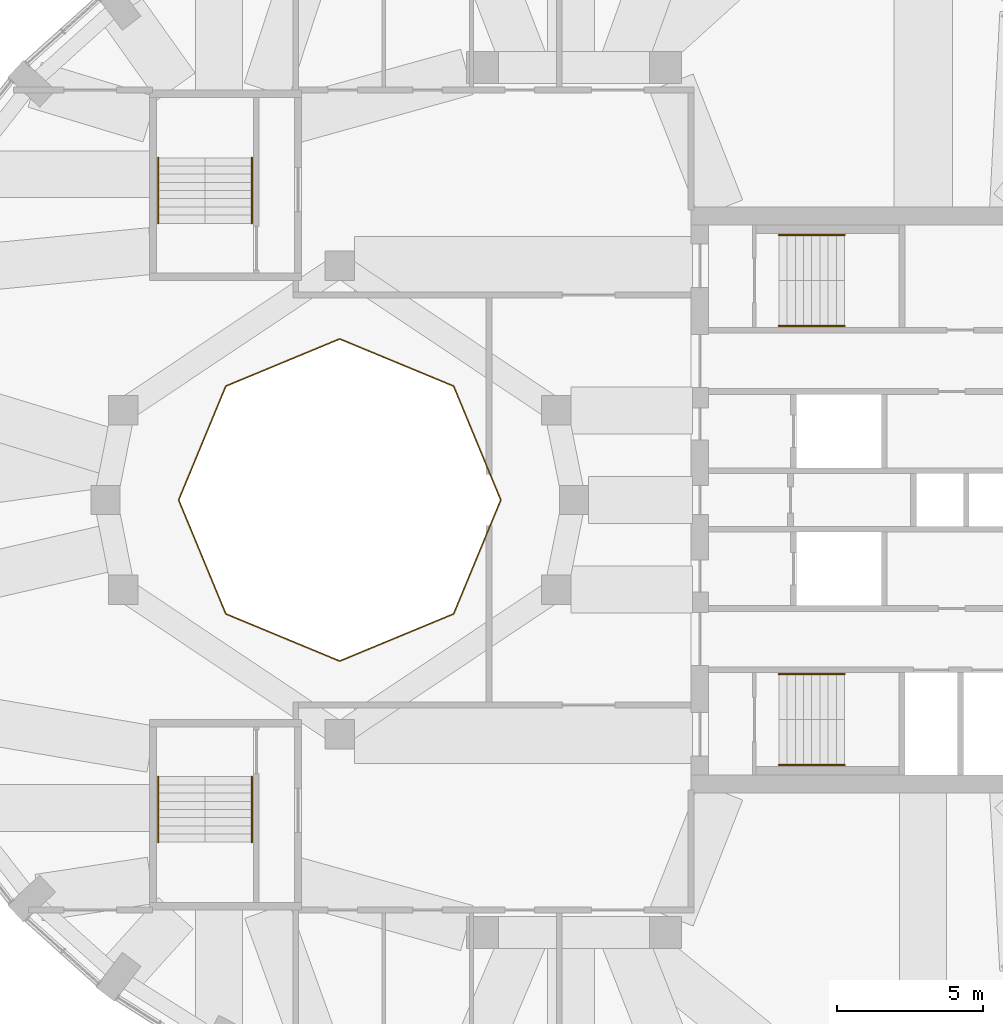
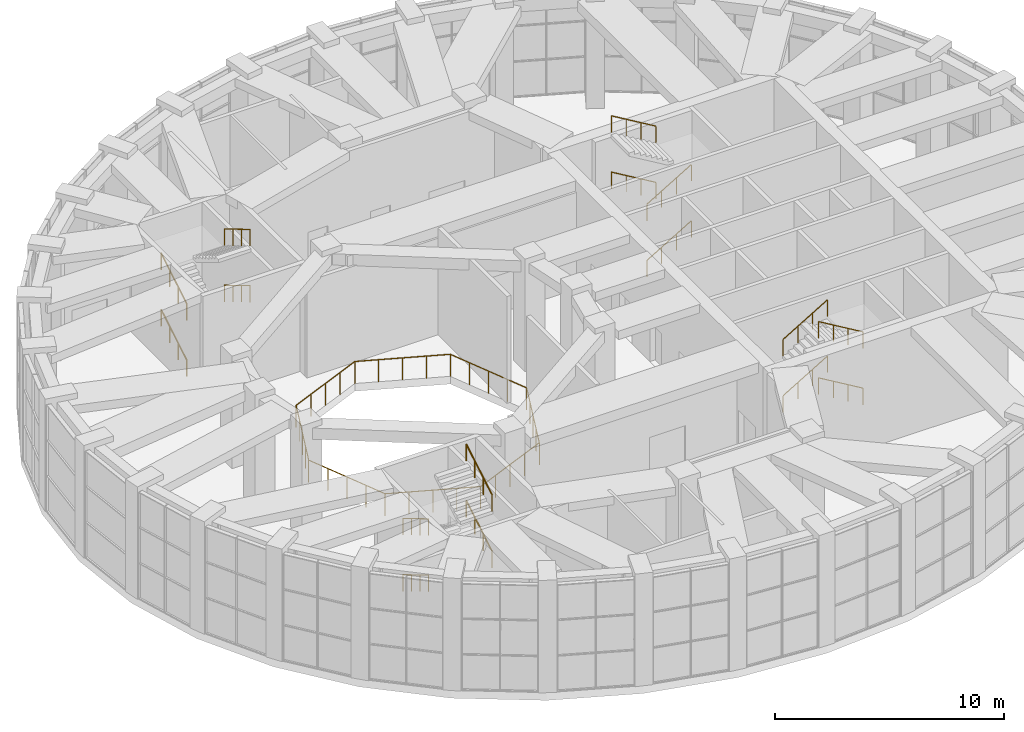
# One storey, part 20 of 20: 18 railings.
"""IFC4 building model written with IfcOpenShell, lengths in metres."""

from ifc_helpers import new_model, si_unit, direction, frame, origin, origin_2d, place, context, subcontext, project, spatial, circle, extrude, material, type_object, element, save


model = new_model("IFC4")

# Units and contexts
model_context = context("Model", 3, precision=1e-05, world=origin(), true_north=direction((0.0, 1.0)))
body_context = subcontext(model_context, "Body", "Model", "MODEL_VIEW")
ifc_project = project(units=[si_unit("LENGTHUNIT", "METRE"), si_unit("AREAUNIT", "SQUARE_METRE"), si_unit("VOLUMEUNIT", "CUBIC_METRE"), si_unit("PLANEANGLEUNIT", "RADIAN"), si_unit("MASSUNIT", "GRAM", prefix="KILO")], contexts=[model_context])

# Site, building, storey
site_placement = place(None, origin())
site = spatial("IfcSite", under=ifc_project, at=site_placement, CompositionType="ELEMENT")
building_placement = place(site_placement, origin())
building = spatial("IfcBuilding", under=site, at=building_placement, Name="Taillehof Tower", CompositionType="ELEMENT")
storey_placement = place(building_placement, frame((0.0, 0.0, 269.199951171875)))
storey = spatial("IfcBuildingStorey", under=building, at=storey_placement, Name="L76", CompositionType="ELEMENT", Elevation=269.199951171875)

# Railings
ifc_material_1 = material(Name="Stainless steel and laminated glass", Category="steel")
railing_type_1 = type_object("IfcRailingType", Name="Guard 1200 mm", PredefinedType="GUARDRAIL", material=ifc_material_1)
railing_1_placement = place(storey_placement, frame((-2.5, 0.0, 0.0)))
element("IfcRailing", 1, at=railing_1_placement, inside=storey, type_object=railing_type_1, Name="Guard atrium", PredefinedType="GUARDRAIL", context=body_context, shape_type="SweptSolid", body=[
    extrude(circle(Radius=0.02392578125, at=origin_2d()), frame((0.0, 0.0, 1.17578125), z_axis=(-0.38266253946, 0.923888186359, 0.0), x_axis=(-0.923888186359, -0.38266253946, 0.0)), (0.0, 0.0, 1.0), 4.20947265625),
    extrude(circle(Radius=0.02392578125, at=origin_2d()), frame((-1.61083984375, 3.88916015625, 1.17578125), z_axis=(-0.923888186359, 0.38266253946, 0.0), x_axis=(-0.38266253946, -0.923888186359, 0.0)), (0.0, 0.0, 1.0), 4.20947265625),
    extrude(circle(Radius=0.02392578125, at=origin_2d()), frame((-5.5, 5.5, 1.17578125), z_axis=(-0.923888186359, -0.38266253946, 0.0), x_axis=(0.38266253946, -0.923888186359, 0.0)), (0.0, 0.0, 1.0), 4.20947265625),
    extrude(circle(Radius=0.02392578125, at=origin_2d()), frame((-9.38916015625, 3.88916015625, 1.17578125), z_axis=(-0.38266253946, -0.923888186359, 0.0), x_axis=(0.923888186359, -0.38266253946, 0.0)), (0.0, 0.0, 1.0), 4.20947265625),
    extrude(circle(Radius=0.02099609375, at=origin_2d()), origin(), (0.0, 0.0, 1.0), 1.15185546875),
    extrude(circle(Radius=0.02099609375, at=origin_2d()), frame((-0.40283203125, 0.97216796875, 0.0)), (0.0, 0.0, 1.0), 1.15185546875),
    extrude(circle(Radius=0.02099609375, at=origin_2d()), frame((-0.805419921875, 1.944580078125, 0.0)), (0.0, 0.0, 1.0), 1.15185546875),
    extrude(circle(Radius=0.02099609375, at=origin_2d()), frame((-1.2080078125, 2.9169921875, 0.0)), (0.0, 0.0, 1.0), 1.15185546875),
    extrude(circle(Radius=0.02099609375, at=origin_2d()), frame((-1.61083984375, 3.88916015625, 0.0)), (0.0, 0.0, 1.0), 1.15185546875),
    extrude(circle(Radius=0.02099609375, at=origin_2d()), frame((-2.5830078125, 4.2919921875, 0.0)), (0.0, 0.0, 1.0), 1.15185546875),
    extrude(circle(Radius=0.02099609375, at=origin_2d()), frame((-3.555419921875, 4.694580078125, 0.0)), (0.0, 0.0, 1.0), 1.15185546875),
    extrude(circle(Radius=0.02099609375, at=origin_2d()), frame((-4.52783203125, 5.09716796875, 0.0)), (0.0, 0.0, 1.0), 1.15185546875),
    extrude(circle(Radius=0.02099609375, at=origin_2d()), frame((-5.5, 5.5, 0.0)), (0.0, 0.0, 1.0), 1.15185546875),
    extrude(circle(Radius=0.02099609375, at=origin_2d()), frame((-6.47216796875, 5.09716796875, 0.0)), (0.0, 0.0, 1.0), 1.15185546875),
    extrude(circle(Radius=0.02099609375, at=origin_2d()), frame((-7.444580078125, 4.694580078125, 0.0)), (0.0, 0.0, 1.0), 1.15185546875),
    extrude(circle(Radius=0.02099609375, at=origin_2d()), frame((-8.4169921875, 4.2919921875, 0.0)), (0.0, 0.0, 1.0), 1.15185546875),
    extrude(circle(Radius=0.02099609375, at=origin_2d()), frame((-9.38916015625, 3.88916015625, 0.0)), (0.0, 0.0, 1.0), 1.15185546875),
    extrude(circle(Radius=0.02099609375, at=origin_2d()), frame((-9.7919921875, 2.9169921875, 0.0)), (0.0, 0.0, 1.0), 1.15185546875),
    extrude(circle(Radius=0.02099609375, at=origin_2d()), frame((-10.194580078125, 1.944580078125, 0.0)), (0.0, 0.0, 1.0), 1.15185546875),
    extrude(circle(Radius=0.02099609375, at=origin_2d()), frame((-10.59716796875, 0.97216796875, 0.0)), (0.0, 0.0, 1.0), 1.15185546875),
    extrude(circle(Radius=0.02099609375, at=origin_2d()), frame((-11.0, 0.0, 0.0)), (0.0, 0.0, 1.0), 1.15185546875),
])
railing_2_placement = place(storey_placement, frame((-13.5, 0.0, 0.0)))
element("IfcRailing", 2, at=railing_2_placement, inside=storey, type_object=railing_type_1, Name="Guard atrium", PredefinedType="GUARDRAIL", context=body_context, shape_type="SweptSolid", body=[
    extrude(circle(Radius=0.02392578125, at=origin_2d()), frame((0.0, 0.0, 1.17578125), z_axis=(0.38266253946, -0.923888186359, 0.0), x_axis=(0.923888186359, 0.38266253946, 0.0)), (0.0, 0.0, 1.0), 4.20947265625),
    extrude(circle(Radius=0.02392578125, at=origin_2d()), frame((1.61083984375, -3.88916015625, 1.17578125), z_axis=(0.923888186359, -0.38266253946, 0.0), x_axis=(0.38266253946, 0.923888186359, 0.0)), (0.0, 0.0, 1.0), 4.20947265625),
    extrude(circle(Radius=0.02392578125, at=origin_2d()), frame((5.5, -5.5, 1.17578125), z_axis=(0.923888186359, 0.38266253946, 0.0), x_axis=(-0.38266253946, 0.923888186359, 0.0)), (0.0, 0.0, 1.0), 4.20947265625),
    extrude(circle(Radius=0.02392578125, at=origin_2d()), frame((9.38916015625, -3.88916015625, 1.17578125), z_axis=(0.38266253946, 0.923888186359, 0.0), x_axis=(-0.923888186359, 0.38266253946, 0.0)), (0.0, 0.0, 1.0), 4.20947265625),
    extrude(circle(Radius=0.02099609375, at=origin_2d()), origin(), (0.0, 0.0, 1.0), 1.15185546875),
    extrude(circle(Radius=0.02099609375, at=origin_2d()), frame((0.40283203125, -0.97216796875, 0.0)), (0.0, 0.0, 1.0), 1.15185546875),
    extrude(circle(Radius=0.02099609375, at=origin_2d()), frame((0.805419921875, -1.944580078125, 0.0)), (0.0, 0.0, 1.0), 1.15185546875),
    extrude(circle(Radius=0.02099609375, at=origin_2d()), frame((1.2080078125, -2.9169921875, 0.0)), (0.0, 0.0, 1.0), 1.15185546875),
    extrude(circle(Radius=0.02099609375, at=origin_2d()), frame((1.61083984375, -3.88916015625, 0.0)), (0.0, 0.0, 1.0), 1.15185546875),
    extrude(circle(Radius=0.02099609375, at=origin_2d()), frame((2.5830078125, -4.2919921875, 0.0)), (0.0, 0.0, 1.0), 1.15185546875),
    extrude(circle(Radius=0.02099609375, at=origin_2d()), frame((3.555419921875, -4.694580078125, 0.0)), (0.0, 0.0, 1.0), 1.15185546875),
    extrude(circle(Radius=0.02099609375, at=origin_2d()), frame((4.52783203125, -5.09716796875, 0.0)), (0.0, 0.0, 1.0), 1.15185546875),
    extrude(circle(Radius=0.02099609375, at=origin_2d()), frame((5.5, -5.5, 0.0)), (0.0, 0.0, 1.0), 1.15185546875),
    extrude(circle(Radius=0.02099609375, at=origin_2d()), frame((6.47216796875, -5.09716796875, 0.0)), (0.0, 0.0, 1.0), 1.15185546875),
    extrude(circle(Radius=0.02099609375, at=origin_2d()), frame((7.444580078125, -4.694580078125, 0.0)), (0.0, 0.0, 1.0), 1.15185546875),
    extrude(circle(Radius=0.02099609375, at=origin_2d()), frame((8.4169921875, -4.2919921875, 0.0)), (0.0, 0.0, 1.0), 1.15185546875),
    extrude(circle(Radius=0.02099609375, at=origin_2d()), frame((9.38916015625, -3.88916015625, 0.0)), (0.0, 0.0, 1.0), 1.15185546875),
    extrude(circle(Radius=0.02099609375, at=origin_2d()), frame((9.7919921875, -2.9169921875, 0.0)), (0.0, 0.0, 1.0), 1.15185546875),
    extrude(circle(Radius=0.02099609375, at=origin_2d()), frame((10.194580078125, -1.944580078125, 0.0)), (0.0, 0.0, 1.0), 1.15185546875),
    extrude(circle(Radius=0.02099609375, at=origin_2d()), frame((10.59716796875, -0.97216796875, 0.0)), (0.0, 0.0, 1.0), 1.15185546875),
    extrude(circle(Radius=0.02099609375, at=origin_2d()), frame((11.0, 0.0, 0.0)), (0.0, 0.0, 1.0), 1.15185546875),
])
ifc_material_2 = material(Name="Stainless steel", Category="steel")
railing_type_2 = type_object("IfcRailingType", Name="Stair handrail 900", PredefinedType="HANDRAIL", material=ifc_material_2)
railing_3_placement = place(storey_placement, frame((7.0, 5.949951171875, 0.166748046875)))
element("IfcRailing", 3, at=railing_3_placement, inside=storey, type_object=railing_type_2, Name="Stair S1 handrail", PredefinedType="HANDRAIL", context=body_context, shape_type="SweptSolid", body=[
    extrude(circle(Radius=0.02392578125, at=origin_2d()), frame((0.0, 0.0, 0.8759765625), z_axis=(0.859305625298, 0.0, 0.511462454469), x_axis=(0.0, 1.0, 0.0)), (0.0, 0.0, 1.0), 2.606689453125),
    extrude(circle(Radius=0.02099609375, at=origin_2d()), origin(), (0.0, 0.0, 1.0), 0.851806640625),
    extrude(circle(Radius=0.02099609375, at=origin_2d()), frame((0.74658203125, 0.0, 0.4443359375)), (0.0, 0.0, 1.0), 0.851806640625),
    extrude(circle(Radius=0.02099609375, at=origin_2d()), frame((1.493408203125, 0.0, 0.888916015625)), (0.0, 0.0, 1.0), 0.851806640625),
    extrude(circle(Radius=0.02099609375, at=origin_2d()), frame((2.239990234375, 0.0, 1.333251953125)), (0.0, 0.0, 1.0), 0.851806640625),
])
railing_4_placement = place(storey_placement, frame((9.239990234375, 9.050048828125, 1.666748046875)))
element("IfcRailing", 4, at=railing_4_placement, inside=storey, type_object=railing_type_2, Name="Stair S1 handrail", PredefinedType="HANDRAIL", context=body_context, shape_type="SweptSolid", body=[
    extrude(circle(Radius=0.02392578125, at=origin_2d()), frame((0.0, 0.0, 0.8759765625), z_axis=(-0.859305625298, 0.0, 0.511462454469), x_axis=(0.0, -1.0, 0.0)), (0.0, 0.0, 1.0), 2.606689453125),
    extrude(circle(Radius=0.02099609375, at=origin_2d()), origin(), (0.0, 0.0, 1.0), 0.851806640625),
    extrude(circle(Radius=0.02099609375, at=origin_2d()), frame((-0.74658203125, 0.0, 0.4443359375)), (0.0, 0.0, 1.0), 0.851806640625),
    extrude(circle(Radius=0.02099609375, at=origin_2d()), frame((-1.493408203125, 0.0, 0.888916015625)), (0.0, 0.0, 1.0), 0.851806640625),
    extrude(circle(Radius=0.02099609375, at=origin_2d()), frame((-2.239990234375, 0.0, 1.333251953125)), (0.0, 0.0, 1.0), 0.851806640625),
])
railing_5_placement = place(storey_placement, frame((7.0, 5.949951171875, 3.166748046875)))
element("IfcRailing", 5, at=railing_5_placement, inside=storey, type_object=railing_type_2, Name="Stair S1 handrail", PredefinedType="HANDRAIL", context=body_context, shape_type="SweptSolid", body=[
    extrude(circle(Radius=0.02392578125, at=origin_2d()), frame((0.0, 0.0, 0.8759765625), z_axis=(0.859305625298, 0.0, 0.511462454469), x_axis=(0.0, 1.0, 0.0)), (0.0, 0.0, 1.0), 2.606689453125),
    extrude(circle(Radius=0.02099609375, at=origin_2d()), origin(), (0.0, 0.0, 1.0), 0.851806640625),
    extrude(circle(Radius=0.02099609375, at=origin_2d()), frame((0.74658203125, 0.0, 0.4443359375)), (0.0, 0.0, 1.0), 0.851806640625),
    extrude(circle(Radius=0.02099609375, at=origin_2d()), frame((1.493408203125, 0.0, 0.888916015625)), (0.0, 0.0, 1.0), 0.851806640625),
    extrude(circle(Radius=0.02099609375, at=origin_2d()), frame((2.239990234375, 0.0, 1.333251953125)), (0.0, 0.0, 1.0), 0.851806640625),
])
railing_6_placement = place(storey_placement, frame((9.239990234375, 9.050048828125, 4.666748046875)))
element("IfcRailing", 6, at=railing_6_placement, inside=storey, type_object=railing_type_2, Name="Stair S1 handrail", PredefinedType="HANDRAIL", context=body_context, shape_type="SweptSolid", body=[
    extrude(circle(Radius=0.02392578125, at=origin_2d()), frame((0.0, 0.0, 0.8759765625), z_axis=(-0.859305625298, 0.0, 0.511462454469), x_axis=(0.0, -1.0, 0.0)), (0.0, 0.0, 1.0), 2.606689453125),
    extrude(circle(Radius=0.02099609375, at=origin_2d()), origin(), (0.0, 0.0, 1.0), 0.851806640625),
    extrude(circle(Radius=0.02099609375, at=origin_2d()), frame((-0.74658203125, 0.0, 0.4443359375)), (0.0, 0.0, 1.0), 0.851806640625),
    extrude(circle(Radius=0.02099609375, at=origin_2d()), frame((-1.493408203125, 0.0, 0.888916015625)), (0.0, 0.0, 1.0), 0.851806640625),
    extrude(circle(Radius=0.02099609375, at=origin_2d()), frame((-2.239990234375, 0.0, 1.333251953125)), (0.0, 0.0, 1.0), 0.851806640625),
])
railing_7_placement = place(storey_placement, frame((7.0, -5.949951171875, 0.166748046875)))
element("IfcRailing", 7, at=railing_7_placement, inside=storey, type_object=railing_type_2, Name="Stair S2 handrail", PredefinedType="HANDRAIL", context=body_context, shape_type="SweptSolid", body=[
    extrude(circle(Radius=0.02392578125, at=origin_2d()), frame((0.0, 0.0, 0.8759765625), z_axis=(0.859305625298, 0.0, 0.511462454469), x_axis=(0.0, 1.0, 0.0)), (0.0, 0.0, 1.0), 2.606689453125),
    extrude(circle(Radius=0.02099609375, at=origin_2d()), origin(), (0.0, 0.0, 1.0), 0.851806640625),
    extrude(circle(Radius=0.02099609375, at=origin_2d()), frame((0.74658203125, 0.0, 0.4443359375)), (0.0, 0.0, 1.0), 0.851806640625),
    extrude(circle(Radius=0.02099609375, at=origin_2d()), frame((1.493408203125, 0.0, 0.888916015625)), (0.0, 0.0, 1.0), 0.851806640625),
    extrude(circle(Radius=0.02099609375, at=origin_2d()), frame((2.239990234375, 0.0, 1.333251953125)), (0.0, 0.0, 1.0), 0.851806640625),
])
railing_8_placement = place(storey_placement, frame((9.239990234375, -9.050048828125, 1.666748046875)))
element("IfcRailing", 8, at=railing_8_placement, inside=storey, type_object=railing_type_2, Name="Stair S2 handrail", PredefinedType="HANDRAIL", context=body_context, shape_type="SweptSolid", body=[
    extrude(circle(Radius=0.02392578125, at=origin_2d()), frame((0.0, 0.0, 0.8759765625), z_axis=(-0.859305625298, 0.0, 0.511462454469), x_axis=(0.0, -1.0, 0.0)), (0.0, 0.0, 1.0), 2.606689453125),
    extrude(circle(Radius=0.02099609375, at=origin_2d()), origin(), (0.0, 0.0, 1.0), 0.851806640625),
    extrude(circle(Radius=0.02099609375, at=origin_2d()), frame((-0.74658203125, 0.0, 0.4443359375)), (0.0, 0.0, 1.0), 0.851806640625),
    extrude(circle(Radius=0.02099609375, at=origin_2d()), frame((-1.493408203125, 0.0, 0.888916015625)), (0.0, 0.0, 1.0), 0.851806640625),
    extrude(circle(Radius=0.02099609375, at=origin_2d()), frame((-2.239990234375, 0.0, 1.333251953125)), (0.0, 0.0, 1.0), 0.851806640625),
])
railing_9_placement = place(storey_placement, frame((7.0, -5.949951171875, 3.166748046875)))
element("IfcRailing", 9, at=railing_9_placement, inside=storey, type_object=railing_type_2, Name="Stair S2 handrail", PredefinedType="HANDRAIL", context=body_context, shape_type="SweptSolid", body=[
    extrude(circle(Radius=0.02392578125, at=origin_2d()), frame((0.0, 0.0, 0.8759765625), z_axis=(0.859305625298, 0.0, 0.511462454469), x_axis=(0.0, 1.0, 0.0)), (0.0, 0.0, 1.0), 2.606689453125),
    extrude(circle(Radius=0.02099609375, at=origin_2d()), origin(), (0.0, 0.0, 1.0), 0.851806640625),
    extrude(circle(Radius=0.02099609375, at=origin_2d()), frame((0.74658203125, 0.0, 0.4443359375)), (0.0, 0.0, 1.0), 0.851806640625),
    extrude(circle(Radius=0.02099609375, at=origin_2d()), frame((1.493408203125, 0.0, 0.888916015625)), (0.0, 0.0, 1.0), 0.851806640625),
    extrude(circle(Radius=0.02099609375, at=origin_2d()), frame((2.239990234375, 0.0, 1.333251953125)), (0.0, 0.0, 1.0), 0.851806640625),
])
railing_10_placement = place(storey_placement, frame((9.239990234375, -9.050048828125, 4.666748046875)))
element("IfcRailing", 10, at=railing_10_placement, inside=storey, type_object=railing_type_2, Name="Stair S2 handrail", PredefinedType="HANDRAIL", context=body_context, shape_type="SweptSolid", body=[
    extrude(circle(Radius=0.02392578125, at=origin_2d()), frame((0.0, 0.0, 0.8759765625), z_axis=(-0.859305625298, 0.0, 0.511462454469), x_axis=(0.0, -1.0, 0.0)), (0.0, 0.0, 1.0), 2.606689453125),
    extrude(circle(Radius=0.02099609375, at=origin_2d()), origin(), (0.0, 0.0, 1.0), 0.851806640625),
    extrude(circle(Radius=0.02099609375, at=origin_2d()), frame((-0.74658203125, 0.0, 0.4443359375)), (0.0, 0.0, 1.0), 0.851806640625),
    extrude(circle(Radius=0.02099609375, at=origin_2d()), frame((-1.493408203125, 0.0, 0.888916015625)), (0.0, 0.0, 1.0), 0.851806640625),
    extrude(circle(Radius=0.02099609375, at=origin_2d()), frame((-2.239990234375, 0.0, 1.333251953125)), (0.0, 0.0, 1.0), 0.851806640625),
])
railing_11_placement = place(storey_placement, frame((-14.199951171875, 9.449951171875, 0.166748046875)))
element("IfcRailing", 11, at=railing_11_placement, inside=storey, type_object=railing_type_2, Name="Stair S3 handrail", PredefinedType="HANDRAIL", context=body_context, shape_type="SweptSolid", body=[
    extrude(circle(Radius=0.02392578125, at=origin_2d()), frame((0.0, 0.0, 0.8759765625), z_axis=(0.0, 0.859305625298, 0.511462454469), x_axis=(-1.0, 0.0, 0.0)), (0.0, 0.0, 1.0), 2.606689453125),
    extrude(circle(Radius=0.02099609375, at=origin_2d()), origin(), (0.0, 0.0, 1.0), 0.851806640625),
    extrude(circle(Radius=0.02099609375, at=origin_2d()), frame((0.0, 0.74658203125, 0.4443359375)), (0.0, 0.0, 1.0), 0.851806640625),
    extrude(circle(Radius=0.02099609375, at=origin_2d()), frame((0.0, 1.493408203125, 0.888916015625)), (0.0, 0.0, 1.0), 0.851806640625),
    extrude(circle(Radius=0.02099609375, at=origin_2d()), frame((0.0, 2.239990234375, 1.333251953125)), (0.0, 0.0, 1.0), 0.851806640625),
])
railing_12_placement = place(storey_placement, frame((-11.0, 11.68994140625, 1.666748046875)))
element("IfcRailing", 12, at=railing_12_placement, inside=storey, type_object=railing_type_2, Name="Stair S3 handrail", PredefinedType="HANDRAIL", context=body_context, shape_type="SweptSolid", body=[
    extrude(circle(Radius=0.02392578125, at=origin_2d()), frame((0.0, 0.0, 0.8759765625), z_axis=(0.0, -0.859305625298, 0.511462454469), x_axis=(1.0, 0.0, 0.0)), (0.0, 0.0, 1.0), 2.606689453125),
    extrude(circle(Radius=0.02099609375, at=origin_2d()), origin(), (0.0, 0.0, 1.0), 0.851806640625),
    extrude(circle(Radius=0.02099609375, at=origin_2d()), frame((0.0, -0.74658203125, 0.4443359375)), (0.0, 0.0, 1.0), 0.851806640625),
    extrude(circle(Radius=0.02099609375, at=origin_2d()), frame((0.0, -1.493408203125, 0.888916015625)), (0.0, 0.0, 1.0), 0.851806640625),
    extrude(circle(Radius=0.02099609375, at=origin_2d()), frame((0.0, -2.239990234375, 1.333251953125)), (0.0, 0.0, 1.0), 0.851806640625),
])
railing_13_placement = place(storey_placement, frame((-14.199951171875, 9.449951171875, 3.166748046875)))
element("IfcRailing", 13, at=railing_13_placement, inside=storey, type_object=railing_type_2, Name="Stair S3 handrail", PredefinedType="HANDRAIL", context=body_context, shape_type="SweptSolid", body=[
    extrude(circle(Radius=0.02392578125, at=origin_2d()), frame((0.0, 0.0, 0.8759765625), z_axis=(0.0, 0.859305625298, 0.511462454469), x_axis=(-1.0, 0.0, 0.0)), (0.0, 0.0, 1.0), 2.606689453125),
    extrude(circle(Radius=0.02099609375, at=origin_2d()), origin(), (0.0, 0.0, 1.0), 0.851806640625),
    extrude(circle(Radius=0.02099609375, at=origin_2d()), frame((0.0, 0.74658203125, 0.4443359375)), (0.0, 0.0, 1.0), 0.851806640625),
    extrude(circle(Radius=0.02099609375, at=origin_2d()), frame((0.0, 1.493408203125, 0.888916015625)), (0.0, 0.0, 1.0), 0.851806640625),
    extrude(circle(Radius=0.02099609375, at=origin_2d()), frame((0.0, 2.239990234375, 1.333251953125)), (0.0, 0.0, 1.0), 0.851806640625),
])
for number, where, name in (
    (14, (-11.0, 11.68994140625, 4.666748046875), "Stair S3 handrail"),
    (15, (-14.199951171875, -9.449951171875, 0.166748046875), "Stair S4 handrail"),
):
    element("IfcRailing", number, at=place(storey_placement, frame(where)), inside=storey, type_object=railing_type_2, Name=name, PredefinedType="HANDRAIL", context=body_context, shape_type="SweptSolid", body=[
        extrude(circle(Radius=0.02392578125, at=origin_2d()), frame((0.0, 0.0, 0.8759765625), z_axis=(0.0, -0.859305625298, 0.511462454469), x_axis=(1.0, 0.0, 0.0)), (0.0, 0.0, 1.0), 2.606689453125),
        extrude(circle(Radius=0.02099609375, at=origin_2d()), origin(), (0.0, 0.0, 1.0), 0.851806640625),
        extrude(circle(Radius=0.02099609375, at=origin_2d()), frame((0.0, -0.74658203125, 0.4443359375)), (0.0, 0.0, 1.0), 0.851806640625),
        extrude(circle(Radius=0.02099609375, at=origin_2d()), frame((0.0, -1.493408203125, 0.888916015625)), (0.0, 0.0, 1.0), 0.851806640625),
        extrude(circle(Radius=0.02099609375, at=origin_2d()), frame((0.0, -2.239990234375, 1.333251953125)), (0.0, 0.0, 1.0), 0.851806640625),
    ])
railing_14_placement = place(storey_placement, frame((-11.0, -11.68994140625, 1.666748046875)))
element("IfcRailing", 16, at=railing_14_placement, inside=storey, type_object=railing_type_2, Name="Stair S4 handrail", PredefinedType="HANDRAIL", context=body_context, shape_type="SweptSolid", body=[
    extrude(circle(Radius=0.02392578125, at=origin_2d()), frame((0.0, 0.0, 0.8759765625), z_axis=(0.0, 0.859305625298, 0.511462454469), x_axis=(-1.0, 0.0, 0.0)), (0.0, 0.0, 1.0), 2.606689453125),
    extrude(circle(Radius=0.02099609375, at=origin_2d()), origin(), (0.0, 0.0, 1.0), 0.851806640625),
    extrude(circle(Radius=0.02099609375, at=origin_2d()), frame((0.0, 0.74658203125, 0.4443359375)), (0.0, 0.0, 1.0), 0.851806640625),
    extrude(circle(Radius=0.02099609375, at=origin_2d()), frame((0.0, 1.493408203125, 0.888916015625)), (0.0, 0.0, 1.0), 0.851806640625),
    extrude(circle(Radius=0.02099609375, at=origin_2d()), frame((0.0, 2.239990234375, 1.333251953125)), (0.0, 0.0, 1.0), 0.851806640625),
])
railing_15_placement = place(storey_placement, frame((-14.199951171875, -9.449951171875, 3.166748046875)))
element("IfcRailing", 17, at=railing_15_placement, inside=storey, type_object=railing_type_2, Name="Stair S4 handrail", PredefinedType="HANDRAIL", context=body_context, shape_type="SweptSolid", body=[
    extrude(circle(Radius=0.02392578125, at=origin_2d()), frame((0.0, 0.0, 0.8759765625), z_axis=(0.0, -0.859305625298, 0.511462454469), x_axis=(1.0, 0.0, 0.0)), (0.0, 0.0, 1.0), 2.606689453125),
    extrude(circle(Radius=0.02099609375, at=origin_2d()), origin(), (0.0, 0.0, 1.0), 0.851806640625),
    extrude(circle(Radius=0.02099609375, at=origin_2d()), frame((0.0, -0.74658203125, 0.4443359375)), (0.0, 0.0, 1.0), 0.851806640625),
    extrude(circle(Radius=0.02099609375, at=origin_2d()), frame((0.0, -1.493408203125, 0.888916015625)), (0.0, 0.0, 1.0), 0.851806640625),
    extrude(circle(Radius=0.02099609375, at=origin_2d()), frame((0.0, -2.239990234375, 1.333251953125)), (0.0, 0.0, 1.0), 0.851806640625),
])
railing_16_placement = place(storey_placement, frame((-11.0, -11.68994140625, 4.666748046875)))
element("IfcRailing", 18, at=railing_16_placement, inside=storey, type_object=railing_type_2, Name="Stair S4 handrail", PredefinedType="HANDRAIL", context=body_context, shape_type="SweptSolid", body=[
    extrude(circle(Radius=0.02392578125, at=origin_2d()), frame((0.0, 0.0, 0.8759765625), z_axis=(0.0, 0.859305625298, 0.511462454469), x_axis=(-1.0, 0.0, 0.0)), (0.0, 0.0, 1.0), 2.606689453125),
    extrude(circle(Radius=0.02099609375, at=origin_2d()), origin(), (0.0, 0.0, 1.0), 0.851806640625),
    extrude(circle(Radius=0.02099609375, at=origin_2d()), frame((0.0, 0.74658203125, 0.4443359375)), (0.0, 0.0, 1.0), 0.851806640625),
    extrude(circle(Radius=0.02099609375, at=origin_2d()), frame((0.0, 1.493408203125, 0.888916015625)), (0.0, 0.0, 1.0), 0.851806640625),
    extrude(circle(Radius=0.02099609375, at=origin_2d()), frame((0.0, 2.239990234375, 1.333251953125)), (0.0, 0.0, 1.0), 0.851806640625),
])

save(model, "model.ifc")
